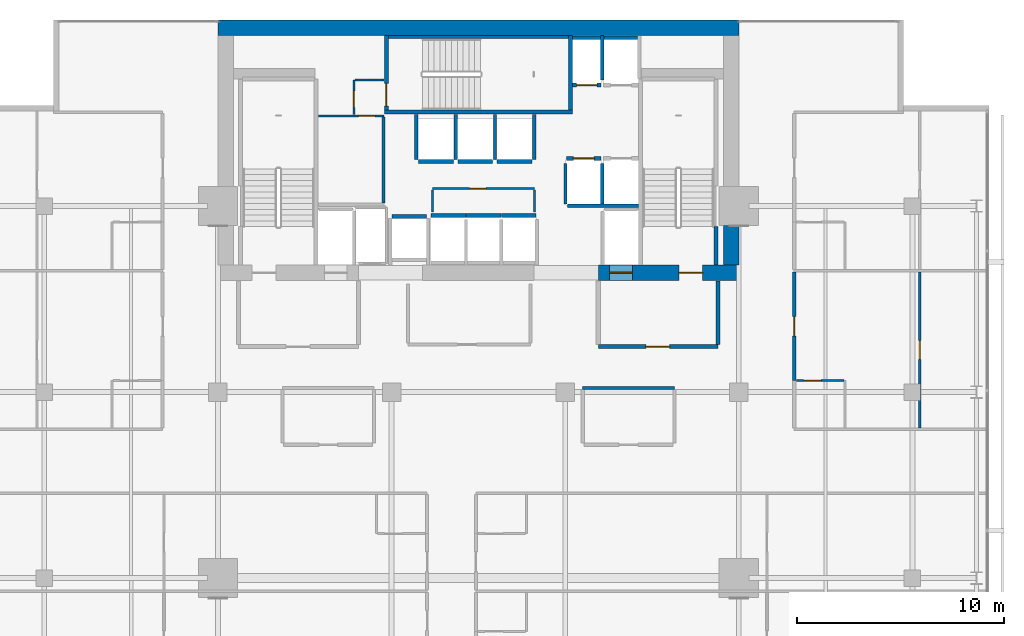
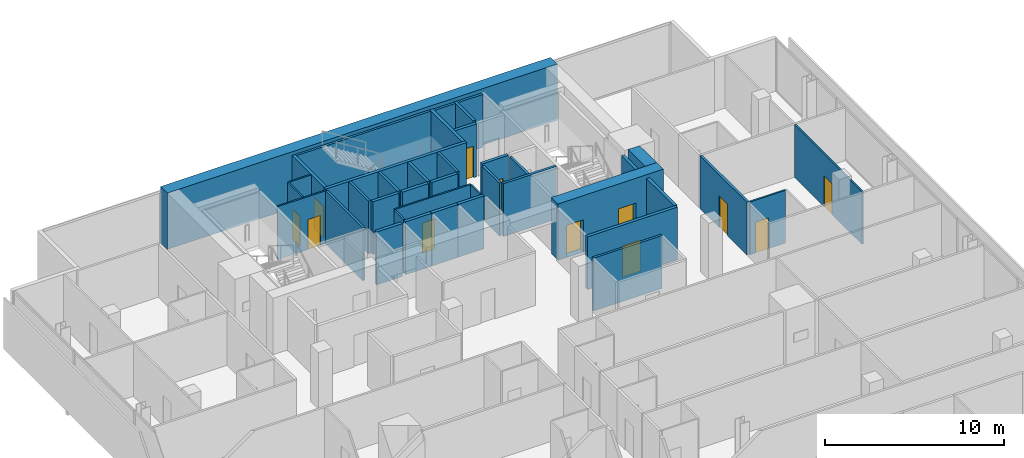
# One storey, part 30 of 33: 39 walls, 12 doors, 12 openings.
"""IFC4 building model written with IfcOpenShell, lengths in metres."""

from ifc_helpers import new_model, si_unit, direction, frame, frame_2d, origin, place, context, subcontext, project, spatial, rectangle, extrude, material, layer, layer_set, type_object, element, fill, save


model = new_model("IFC4")

# Units and contexts
model_context = context("Model", 3, precision=1e-05, world=origin(), true_north=direction((0.0, 1.0)))
body_context = subcontext(model_context, "Body", "Model", "MODEL_VIEW")
ifc_project = project(units=[si_unit("LENGTHUNIT", "METRE"), si_unit("AREAUNIT", "SQUARE_METRE"), si_unit("VOLUMEUNIT", "CUBIC_METRE"), si_unit("PLANEANGLEUNIT", "RADIAN"), si_unit("MASSUNIT", "GRAM", prefix="KILO")], contexts=[model_context])

# Site, building, storey
site_placement = place(None, origin())
site = spatial("IfcSite", under=ifc_project, at=site_placement, CompositionType="ELEMENT")
building_placement = place(site_placement, origin())
building = spatial("IfcBuilding", under=site, at=building_placement, Name="Maruvema Waterfront Hotel and Observation Tower", CompositionType="ELEMENT")
storey_placement = place(building_placement, frame((0.0, 0.0, 138.949951171875)))
storey = spatial("IfcBuildingStorey", under=building, at=storey_placement, Name="L33", CompositionType="ELEMENT", Elevation=138.949951171875)

# Walls
ifc_material_1 = material(Name="Twin-stud acoustic gypsum drywall", Category="gypsum")
ifc_layer_1 = layer(ifc_material_1, 0.14990234375, Name="Acoustic Corridor and Suite Demising Wall 150 mm")
ifc_layer_set_1 = layer_set([ifc_layer_1], Name="Twin-stud acoustic gypsum drywall")
wall_type_1 = type_object("IfcWallType", Name="Acoustic Corridor and Suite Demising Wall 150 mm", PredefinedType="PARTITIONING", material=ifc_layer_set_1)
wall_1_placement = place(storey_placement, frame((33.219970703125, 45.139892578125, 0.0), z_axis=(0.0, 0.0, 1.0), x_axis=(0.0, 1.0, 0.0)))
element("IfcWall", 1, at=wall_1_placement, inside=storey, type_object=wall_type_1, Name="L33 Freed B1 East Wall 014", PredefinedType="PARTITIONING", context=body_context, shape_type="SweptSolid", body=[
    extrude(rectangle(XDim=4.16015625, YDim=0.14990234375, at=frame_2d((2.080078125, 0.0))), origin(), (0.0, 0.0, 1.0), 3.610107421875),
])
wall_2_placement = place(storey_placement, frame((42.85009765625, 36.199951171875, 0.0), z_axis=(0.0, 0.0, 1.0), x_axis=(1.0, 0.0, 0.0)))
element("IfcWall", 2, at=wall_2_placement, inside=storey, type_object=wall_type_1, Name="L33 L33-M2 Back Wall 025", PredefinedType="PARTITIONING", context=body_context, shape_type="SweptSolid", body=[
    extrude(rectangle(XDim=4.429931640625, YDim=0.14990234375, at=frame_2d((2.21484375, 0.0))), origin(), (0.0, 0.0, 1.0), 3.610107421875),
])

# Wall, opening, door
wall_3_placement = place(storey_placement, frame((53.080078125, 36.550048828125, 0.0), z_axis=(0.0, 0.0, 1.0), x_axis=(0.0, 1.0, 0.0)))
wall_3 = element("IfcWall", 3, at=wall_3_placement, inside=storey, type_object=wall_type_1, Name="L33 Room L33-NE1 Corridor Wall 106", PredefinedType="PARTITIONING", context=body_context, shape_type="SweptSolid", body=[
    extrude(rectangle(XDim=5.2587890625, YDim=0.14990234375, at=frame_2d((2.62939453125, 0.0))), origin(), (0.0, 0.0, 1.0), 3.610107421875),
])
opening_1_placement = place(wall_3_placement, frame((2.154296875, 0.0, 0.0)))
opening_1 = element("IfcOpeningElement", 4, at=opening_1_placement, cuts=wall_3, Name="Opening DR-095", PredefinedType="OPENING", context=body_context, shape_type="SweptSolid", body=[
    extrude(rectangle(XDim=0.949951171875, YDim=2.14990234375, at=frame_2d((0.47509765625, 1.074951171875))), frame((0.0, 0.0849609375, 0.0), z_axis=(0.0, -1.0, 0.0), x_axis=(1.0, 0.0, 0.0)), (0.0, 0.0, 1.0), 0.169921875),
])
ifc_material_2 = material(Name="Acoustic solid-core hardwood timber leaf", Category="wood")
door_type_1 = type_object("IfcDoorType", Name="Guestroom Entrance Fire Door 950x2150 mm", OperationType="NOTDEFINED", PredefinedType="DOOR", material=ifc_material_2)
door_1_placement = place(opening_1_placement, frame((0.949951171875, 0.0, 0.0), z_axis=(0.0, 0.0, 1.0), x_axis=(-1.0, 0.0, 0.0)))
door_1 = element("IfcDoor", 5, at=door_1_placement, inside=storey, type_object=door_type_1, Name="L33 Room L33-NE1 Entrance Door", OperationType="SINGLE_SWING_RIGHT", OverallHeight=2.14990234375, OverallWidth=0.949951171875, PredefinedType="DOOR", context=body_context, shape_type="SweptSolid", body=[
    extrude(rectangle(XDim=0.949951171875, YDim=2.14990234375, at=frame_2d((0.47509765625, 1.074951171875))), frame((0.0, 0.02490234375, 0.0), z_axis=(0.0, -1.0, 0.0), x_axis=(1.0, 0.0, 0.0)), (0.0, 0.0, 1.0), 0.050048828125),
])
fill(opening_1, door_1)

# Walls
ifc_material_3 = material(Name="Precast concrete C45/55", Category="concrete")
ifc_layer_2 = layer(ifc_material_3, 0.14990234375, Name="Core Shaft Furring Wall 150 mm")
ifc_layer_set_2 = layer_set([ifc_layer_2], Name="Precast concrete C45/55")
wall_type_2 = type_object("IfcWallType", Name="Core Shaft Furring Wall 150 mm", PredefinedType="SOLIDWALL", material=ifc_layer_set_2)
wall_4_placement = place(storey_placement, frame((33.449951171875, 53.175048828125, 0.0), z_axis=(0.0, 0.0, 1.0), x_axis=(1.0, 0.0, 0.0)))
element("IfcWall", 6, at=wall_4_placement, inside=storey, type_object=wall_type_2, Name="L33 Stairwell ST-02 North Furring Wall", PredefinedType="SOLIDWALL", context=body_context, shape_type="SweptSolid", body=[
    extrude(rectangle(XDim=8.699951171875, YDim=0.14990234375, at=frame_2d((4.35009765625, 0.0))), origin(), (0.0, 0.0, 1.0), 3.610107421875),
])
ifc_material_4 = material(Name="Precast concrete C45/55", Category="concrete")
ifc_layer_3 = layer(ifc_material_4, 0.199951171875, Name="Core Shaft and Stairwell Enclosure Wall 200 mm")
ifc_layer_set_3 = layer_set([ifc_layer_3], Name="Precast concrete C45/55")
wall_type_3 = type_object("IfcWallType", Name="Core Shaft and Stairwell Enclosure Wall 200 mm", PredefinedType="SOLIDWALL", material=ifc_layer_set_3)
wall_5_placement = place(storey_placement, frame((33.25, 49.550048828125, 0.0), z_axis=(0.0, 0.0, 1.0), x_axis=(1.0, 0.0, 0.0)))
element("IfcWall", 7, at=wall_5_placement, inside=storey, type_object=wall_type_3, Name="L33 Stairwell ST-02 Shaft Wall", PredefinedType="SOLIDWALL", context=body_context, shape_type="SweptSolid", body=[
    extrude(rectangle(XDim=9.10009765625, YDim=0.199951171875, at=frame_2d((4.550048828125, 0.0))), origin(), (0.0, 0.0, 1.0), 3.610107421875),
])
wall_6_placement = place(storey_placement, frame((42.25, 49.64990234375, 0.0), z_axis=(0.0, 0.0, 1.0), x_axis=(0.0, 1.0, 0.0)))
element("IfcWall", 8, at=wall_6_placement, inside=storey, type_object=wall_type_3, Name="L33 Stairwell ST-02 Shaft Wall", PredefinedType="SOLIDWALL", context=body_context, shape_type="SweptSolid", body=[
    extrude(rectangle(XDim=3.60009765625, YDim=0.199951171875, at=frame_2d((1.800048828125, 0.0))), origin(), (0.0, 0.0, 1.0), 3.610107421875),
])

# Wall, opening, door
wall_7_placement = place(storey_placement, frame((33.35009765625, 49.64990234375, 0.0), z_axis=(0.0, 0.0, 1.0), x_axis=(0.0, 1.0, 0.0)))
wall_7 = element("IfcWall", 9, at=wall_7_placement, inside=storey, type_object=wall_type_3, Name="L33 Stairwell ST-02 Shaft Wall", PredefinedType="SOLIDWALL", context=body_context, shape_type="SweptSolid", body=[
    extrude(rectangle(XDim=3.60009765625, YDim=0.199951171875, at=frame_2d((1.800048828125, 0.0))), origin(), (0.0, 0.0, 1.0), 3.610107421875),
])
opening_2_placement = place(wall_7_placement, frame((0.179931640625, 0.0, 0.0)))
opening_2 = element("IfcOpeningElement", 10, at=opening_2_placement, cuts=wall_7, Name="Opening SD-02", PredefinedType="OPENING", context=body_context, shape_type="SweptSolid", body=[
    extrude(rectangle(XDim=1.10009765625, YDim=2.14990234375, at=frame_2d((0.550048828125, 1.074951171875))), frame((0.0, 0.10986328125, 0.0), z_axis=(0.0, -1.0, 0.0), x_axis=(1.0, 0.0, 0.0)), (0.0, 0.0, 1.0), 0.219970703125),
])
ifc_material_5 = material(Name="Fire-rated galvanised steel leaf", Category="steel")
door_type_2 = type_object("IfcDoorType", Name="Central Exit Stair Fire Door 1100x2150 mm", OperationType="NOTDEFINED", PredefinedType="DOOR", material=ifc_material_5)
door_2_placement = place(opening_2_placement, frame((1.10009765625, 0.0, 0.0), z_axis=(0.0, 0.0, 1.0), x_axis=(-1.0, 0.0, 0.0)))
door_2 = element("IfcDoor", 11, at=door_2_placement, inside=storey, type_object=door_type_2, Name="L33 Exit Stair ST-02 Fire Door", OperationType="SINGLE_SWING_LEFT", OverallHeight=2.14990234375, OverallWidth=1.10009765625, PredefinedType="DOOR", context=body_context, shape_type="SweptSolid", body=[
    extrude(rectangle(XDim=1.10009765625, YDim=2.14990234375, at=frame_2d((0.550048828125, 1.074951171875))), frame((0.0, 0.02490234375, 0.0), z_axis=(0.0, -1.0, 0.0), x_axis=(1.0, 0.0, 0.0)), (0.0, 0.0, 1.0), 0.050048828125),
])
fill(opening_2, door_2)

# Wall
wall_8_placement = place(storey_placement, frame((49.300048828125, 42.14990234375, 0.0), z_axis=(0.0, 0.0, 1.0), x_axis=(0.0, 1.0, 0.0)))
element("IfcWall", 12, at=wall_8_placement, inside=storey, type_object=wall_type_3, Name="L33 Stairwell ST-03 Shaft Lining Wall", PredefinedType="SOLIDWALL", context=body_context, shape_type="SweptSolid", body=[
    extrude(rectangle(XDim=1.8701171875, YDim=0.199951171875, at=frame_2d((0.93505859375, 0.0))), origin(), (0.0, 0.0, 1.0), 3.610107421875),
])

# Wall, opening, door
wall_9_placement = place(storey_placement, frame((42.06005859375, 47.300048828125, 0.0), z_axis=(0.0, 0.0, 1.0), x_axis=(1.0, 0.0, 0.0)))
wall_9 = element("IfcWall", 13, at=wall_9_placement, inside=storey, type_object=wall_type_3, Name="L33 Lift LF-05 Hoistway Front Wall", PredefinedType="SOLIDWALL", context=body_context, shape_type="SweptSolid", body=[
    extrude(rectangle(XDim=1.679931640625, YDim=0.199951171875, at=frame_2d((0.83984375, 0.0))), origin(), (0.0, 0.0, 1.0), 3.610107421875),
])
opening_3_placement = place(wall_9_placement, frame((0.340087890625, 0.0, 0.0)))
opening_3 = element("IfcOpeningElement", 14, at=opening_3_placement, cuts=wall_9, Name="Opening LD-01", PredefinedType="OPENING", context=body_context, shape_type="SweptSolid", body=[
    extrude(rectangle(XDim=1.0, YDim=2.14990234375, at=frame_2d((0.5, 1.074951171875))), frame((0.0, 0.10986328125, 0.0), z_axis=(0.0, -1.0, 0.0), x_axis=(1.0, 0.0, 0.0)), (0.0, 0.0, 1.0), 0.219970703125),
])
ifc_material_6 = material(Name="Brushed stainless steel Grade 316", Category="steel")
door_type_3 = type_object("IfcDoorType", Name="Passenger Lift Sliding Landing Door 1000x2150 mm", OperationType="SLIDING_TO_LEFT", PredefinedType="DOOR", material=ifc_material_6)
door_3_placement = place(opening_3_placement, origin())
door_3 = element("IfcDoor", 15, at=door_3_placement, inside=storey, type_object=door_type_3, Name="L33 Lift LF-05 Sliding Landing Door", OperationType="SLIDING_TO_LEFT", OverallHeight=2.14990234375, OverallWidth=1.0, PredefinedType="DOOR", context=body_context, shape_type="SweptSolid", body=[
    extrude(rectangle(XDim=1.0, YDim=2.14990234375, at=frame_2d((0.5, 1.074951171875))), frame((0.0, 0.02490234375, 0.0), z_axis=(0.0, -1.0, 0.0), x_axis=(1.0, 0.0, 0.0)), (0.0, 0.0, 1.0), 0.050048828125),
])
fill(opening_3, door_3)

wall_10_placement = place(storey_placement, frame((42.360107421875, 50.85009765625, 0.0), z_axis=(0.0, 0.0, 1.0), x_axis=(1.0, 0.0, 0.0)))
wall_10 = element("IfcWall", 16, at=wall_10_placement, inside=storey, type_object=wall_type_3, Name="L33 Lift LF-07 Hoistway Front Wall", PredefinedType="SOLIDWALL", context=body_context, shape_type="SweptSolid", body=[
    extrude(rectangle(XDim=1.3798828125, YDim=0.199951171875, at=frame_2d((0.68994140625, 0.0))), origin(), (0.0, 0.0, 1.0), 3.610107421875),
])
opening_4_placement = place(wall_10_placement, frame((0.18994140625, 0.0, 0.0)))
opening_4 = element("IfcOpeningElement", 17, at=opening_4_placement, cuts=wall_10, Name="Opening LD-01", PredefinedType="OPENING", context=body_context, shape_type="SweptSolid", body=[
    extrude(rectangle(XDim=1.0, YDim=2.14990234375, at=frame_2d((0.5, 1.074951171875))), frame((0.0, 0.10986328125, 0.0), z_axis=(0.0, -1.0, 0.0), x_axis=(1.0, 0.0, 0.0)), (0.0, 0.0, 1.0), 0.219970703125),
])
door_4_placement = place(opening_4_placement, frame((1.0, 0.0, 0.0), z_axis=(0.0, 0.0, 1.0), x_axis=(-1.0, 0.0, 0.0)))
door_4 = element("IfcDoor", 18, at=door_4_placement, inside=storey, type_object=door_type_3, Name="L33 Lift LF-07 Sliding Landing Door", OperationType="SLIDING_TO_LEFT", OverallHeight=2.14990234375, OverallWidth=1.0, PredefinedType="DOOR", context=body_context, shape_type="SweptSolid", body=[
    extrude(rectangle(XDim=1.0, YDim=2.14990234375, at=frame_2d((0.5, 1.074951171875))), frame((0.0, 0.02490234375, 0.0), z_axis=(0.0, -1.0, 0.0), x_axis=(1.0, 0.0, 0.0)), (0.0, 0.0, 1.0), 0.050048828125),
])
fill(opening_4, door_4)

# Walls
for number, where, z_axis, x_axis, name in (
    (19, (35.510009765625, 44.550048828125, 0.0), (0.0, 0.0, 1.0), (1.0, 0.0, 0.0), "L33 Lift LF-09 Hoistway Front Wall"),
    (20, (37.2099609375, 44.550048828125, 0.0), (0.0, 0.0, 1.0), (1.0, 0.0, 0.0), "L33 Lift LF-10 Hoistway Front Wall"),
):
    element("IfcWall", number, at=place(storey_placement, frame(where, z_axis=z_axis, x_axis=x_axis)), inside=storey, type_object=wall_type_3, Name=name, PredefinedType="SOLIDWALL", context=body_context, shape_type="SweptSolid", body=[
        extrude(rectangle(XDim=1.679931640625, YDim=0.199951171875, at=frame_2d((0.83984375, 0.0))), origin(), (0.0, 0.0, 1.0), 3.610107421875),
    ])
for number, where, z_axis, x_axis, name in (
    (21, (38.909912109375, 44.550048828125, 0.0), (0.0, 0.0, 1.0), (1.0, 0.0, 0.0), "L33 Lift LF-11 Hoistway Front Wall"),
    (22, (34.909912109375, 47.14990234375, 0.0), (0.0, 0.0, 1.0), (1.0, 0.0, 0.0), "L33 Lift LF-12 Hoistway Front Wall"),
):
    element("IfcWall", number, at=place(storey_placement, frame(where, z_axis=z_axis, x_axis=x_axis)), inside=storey, type_object=wall_type_3, Name=name, PredefinedType="SOLIDWALL", context=body_context, shape_type="SweptSolid", body=[
        extrude(rectangle(XDim=1.68017578125, YDim=0.199951171875, at=frame_2d((0.840087890625, 0.0))), origin(), (0.0, 0.0, 1.0), 3.610107421875),
    ])
for number, where, z_axis, x_axis, name in (
    (23, (36.81005859375, 47.14990234375, 0.0), (0.0, 0.0, 1.0), (1.0, 0.0, 0.0), "L33 Lift LF-13 Hoistway Front Wall"),
    (24, (38.7099609375, 47.14990234375, 0.0), (0.0, 0.0, 1.0), (1.0, 0.0, 0.0), "L33 Lift LF-14 Hoistway Front Wall"),
    (25, (33.610107421875, 44.5, 0.0), (0.0, 0.0, 1.0), (1.0, 0.0, 0.0), "L33 Lift LF-15 Hoistway Front Wall"),
):
    element("IfcWall", number, at=place(storey_placement, frame(where, z_axis=z_axis, x_axis=x_axis)), inside=storey, type_object=wall_type_3, Name=name, PredefinedType="SOLIDWALL", context=body_context, shape_type="SweptSolid", body=[
        extrude(rectangle(XDim=1.679931640625, YDim=0.199951171875, at=frame_2d((0.83984375, 0.0))), origin(), (0.0, 0.0, 1.0), 3.610107421875),
    ])
ifc_material_7 = material(Name="Concrete C70/85", Category="concrete")
ifc_layer_4 = layer(ifc_material_7, 0.75, Name="Core Shear Wall 750 mm")
ifc_layer_set_4 = layer_set([ifc_layer_4], Name="Concrete C70/85")
wall_type_4 = type_object("IfcWallType", Name="Core Shear Wall 750 mm", PredefinedType="SHEAR", material=ifc_layer_set_4)
wall_11_placement = place(storey_placement, frame((25.199951171875, 53.625, 0.0), z_axis=(0.0, 0.0, 1.0), x_axis=(1.0, 0.0, 0.0)))
element("IfcWall", 26, at=wall_11_placement, inside=storey, type_object=wall_type_4, Name="L33 North Core Shear Wall", PredefinedType="SHEAR", context=body_context, shape_type="SweptSolid", body=[
    extrude(rectangle(XDim=25.199951171875, YDim=0.75, at=frame_2d((12.60009765625, 0.0))), origin(), (0.0, 0.0, 1.0), 3.85009765625),
])

# Wall, openings, doors
wall_12_placement = place(storey_placement, frame((43.60009765625, 41.77490234375, 0.0), z_axis=(0.0, 0.0, 1.0), x_axis=(1.0, 0.0, 0.0)))
wall_12 = element("IfcWall", 27, at=wall_12_placement, inside=storey, type_object=wall_type_4, Name="L33 South-East Core Shear Wall", PredefinedType="SHEAR", context=body_context, shape_type="SweptSolid", body=[
    extrude(rectangle(XDim=6.7998046875, YDim=0.75, at=frame_2d((3.39990234375, 0.0))), origin(), (0.0, 0.0, 1.0), 3.85009765625),
])
opening_5_placement = place(wall_12_placement, frame((3.89990234375, 0.0, 0.0)))
opening_5 = element("IfcOpeningElement", 28, at=opening_5_placement, cuts=wall_12, Name="Opening SD-01", PredefinedType="OPENING", context=body_context, shape_type="SweptSolid", body=[
    extrude(rectangle(XDim=1.14990234375, YDim=2.14990234375, at=frame_2d((0.574951171875, 1.074951171875))), frame((0.0, 0.385009765625, 0.0), z_axis=(0.0, -1.0, 0.0), x_axis=(1.0, 0.0, 0.0)), (0.0, 0.0, 1.0), 0.77001953125),
])
opening_6_placement = place(wall_12_placement, frame((0.550048828125, 0.0, 0.0)))
opening_6 = element("IfcOpeningElement", 29, at=opening_6_placement, cuts=wall_12, Name="Opening LD-03", PredefinedType="OPENING", context=body_context, shape_type="SweptSolid", body=[
    extrude(rectangle(XDim=1.10009765625, YDim=2.199951171875, at=frame_2d((0.550048828125, 1.10009765625))), frame((0.0, 0.385009765625, 0.0), z_axis=(0.0, -1.0, 0.0), x_axis=(1.0, 0.0, 0.0)), (0.0, 0.0, 1.0), 0.77001953125),
])
ifc_material_8 = material(Name="Fire-rated galvanised steel leaf", Category="steel")
door_type_4 = type_object("IfcDoorType", Name="Exit Stair Fire Door 1150x2150 mm", OperationType="NOTDEFINED", PredefinedType="DOOR", material=ifc_material_8)
door_5_placement = place(opening_5_placement, origin())
door_5 = element("IfcDoor", 30, at=door_5_placement, inside=storey, type_object=door_type_4, Name="L33 Exit Stair ST-03 Fire Door", OperationType="SINGLE_SWING_RIGHT", OverallHeight=2.14990234375, OverallWidth=1.14990234375, PredefinedType="DOOR", context=body_context, shape_type="SweptSolid", body=[
    extrude(rectangle(XDim=1.14990234375, YDim=2.14990234375, at=frame_2d((0.574951171875, 1.074951171875))), frame((0.0, 0.02490234375, 0.0), z_axis=(0.0, -1.0, 0.0), x_axis=(1.0, 0.0, 0.0)), (0.0, 0.0, 1.0), 0.050048828125),
])
fill(opening_5, door_5)
ifc_material_9 = material(Name="Brushed stainless steel Grade 316", Category="steel")
door_type_5 = type_object("IfcDoorType", Name="Firefighting Lift Sliding Landing Door 1100x2200 mm", OperationType="SLIDING_TO_LEFT", PredefinedType="DOOR", material=ifc_material_9)
door_6_placement = place(opening_6_placement, frame((1.10009765625, 0.0, 0.0), z_axis=(0.0, 0.0, 1.0), x_axis=(-1.0, 0.0, 0.0)))
door_6 = element("IfcDoor", 31, at=door_6_placement, inside=storey, type_object=door_type_5, Name="L33 Firefighting Lift FL-02 Landing Door", OperationType="SLIDING_TO_LEFT", OverallHeight=2.199951171875, OverallWidth=1.10009765625, PredefinedType="DOOR", context=body_context, shape_type="SweptSolid", body=[
    extrude(rectangle(XDim=1.10009765625, YDim=2.199951171875, at=frame_2d((0.550048828125, 1.10009765625))), frame((0.0, 0.02490234375, 0.0), z_axis=(0.0, -1.0, 0.0), x_axis=(1.0, 0.0, 0.0)), (0.0, 0.0, 1.0), 0.050048828125),
])
fill(opening_6, door_6)

# Wall
wall_13_placement = place(storey_placement, frame((50.02490234375, 42.14990234375, 0.0), z_axis=(0.0, 0.0, 1.0), x_axis=(0.0, 1.0, 0.0)))
element("IfcWall", 32, at=wall_13_placement, inside=storey, type_object=wall_type_4, Name="L33 East-South Core Shear Wall", PredefinedType="SHEAR", context=body_context, shape_type="SweptSolid", body=[
    extrude(rectangle(XDim=1.900146484375, YDim=0.75, at=frame_2d((0.9501953125, 0.0))), origin(), (0.0, 0.0, 1.0), 3.85009765625),
])

# Wall, opening, door
ifc_material_10 = material(Name="Moisture-resistant cement-board drywall", Category="gypsum")
ifc_layer_5 = layer(ifc_material_10, 0.10009765625, Name="En-Suite Moisture-Resistant Partition 100 mm")
ifc_layer_set_5 = layer_set([ifc_layer_5], Name="Moisture-resistant cement-board drywall")
wall_type_5 = type_object("IfcWallType", Name="En-Suite Moisture-Resistant Partition 100 mm", PredefinedType="PARTITIONING", material=ifc_layer_set_5)
wall_14_placement = place(storey_placement, frame((35.580078125, 45.840087890625, 0.0), z_axis=(0.0, 0.0, 1.0), x_axis=(1.0, 0.0, 0.0)))
wall_14 = element("IfcWall", 33, at=wall_14_placement, inside=storey, type_object=wall_type_5, Name="L33 Core Closet K0 North 010", PredefinedType="PARTITIONING", context=body_context, shape_type="SweptSolid", body=[
    extrude(rectangle(XDim=4.93994140625, YDim=0.10009765625, at=frame_2d((2.469970703125, 0.0))), origin(), (0.0, 0.0, 1.0), 3.610107421875),
])
opening_7_placement = place(wall_14_placement, frame((1.800048828125, 0.0, 0.0)))
opening_7 = element("IfcOpeningElement", 34, at=opening_7_placement, cuts=wall_14, Name="Opening DR-080", PredefinedType="OPENING", context=body_context, shape_type="SweptSolid", body=[
    extrude(rectangle(XDim=0.800048828125, YDim=2.050048828125, at=frame_2d((0.39990234375, 1.02490234375))), frame((0.0, 0.06005859375, 0.0), z_axis=(0.0, -1.0, 0.0), x_axis=(1.0, 0.0, 0.0)), (0.0, 0.0, 1.0), 0.1201171875),
])
ifc_material_11 = material(Name="Powder-coated steel access leaf", Category="steel")
door_type_6 = type_object("IfcDoorType", Name="Riser and Service Cupboard Door 800x2050 mm", OperationType="NOTDEFINED", PredefinedType="DOOR", material=ifc_material_11)
door_7_placement = place(opening_7_placement, origin())
door_7 = element("IfcDoor", 35, at=door_7_placement, inside=storey, type_object=door_type_6, Name="L33 Core Electrical Closet Door", OperationType="SINGLE_SWING_RIGHT", OverallHeight=2.050048828125, OverallWidth=0.800048828125, PredefinedType="DOOR", context=body_context, shape_type="SweptSolid", body=[
    extrude(rectangle(XDim=0.800048828125, YDim=2.050048828125, at=frame_2d((0.39990234375, 1.02490234375))), frame((0.0, 0.02490234375, 0.0), z_axis=(0.0, -1.0, 0.0), x_axis=(1.0, 0.0, 0.0)), (0.0, 0.0, 1.0), 0.050048828125),
])
fill(opening_7, door_7)

# Walls
for number, where, z_axis, x_axis, name in (
    (36, (35.580078125, 44.699951171875, 0.0), (0.0, 0.0, 1.0), (0.0, 1.0, 0.0), "L33 Core Closet K0 West 011"),
    (37, (40.52001953125, 44.699951171875, 0.0), (0.0, 0.0, 1.0), (0.0, 1.0, 0.0), "L33 Core Closet K0 East 012"),
):
    element("IfcWall", number, at=place(storey_placement, frame(where, z_axis=z_axis, x_axis=x_axis)), inside=storey, type_object=wall_type_5, Name=name, PredefinedType="PARTITIONING", context=body_context, shape_type="SweptSolid", body=[
        extrude(rectangle(XDim=1.080078125, YDim=0.10009765625, at=frame_2d((0.5400390625, 0.0))), origin(), (0.0, 0.0, 1.0), 3.610107421875),
    ])

# Wall, opening, door
wall_15_placement = place(storey_placement, frame((30.06005859375, 49.360107421875, 0.0), z_axis=(0.0, 0.0, 1.0), x_axis=(1.0, 0.0, 0.0)))
wall_15 = element("IfcWall", 38, at=wall_15_placement, inside=storey, type_object=wall_type_5, Name="L33 Freed B1 Mid Wall 015", PredefinedType="PARTITIONING", context=body_context, shape_type="SweptSolid", body=[
    extrude(rectangle(XDim=3.179931640625, YDim=0.10009765625, at=frame_2d((1.58984375, 0.0))), origin(), (0.0, 0.0, 1.0), 3.610107421875),
])
opening_8_placement = place(wall_15_placement, frame((1.949951171875, 0.0, 0.0)))
opening_8 = element("IfcOpeningElement", 39, at=opening_8_placement, cuts=wall_15, Name="Opening DR-080", PredefinedType="OPENING", context=body_context, shape_type="SweptSolid", body=[
    extrude(rectangle(XDim=0.800048828125, YDim=2.050048828125, at=frame_2d((0.39990234375, 1.02490234375))), frame((0.0, 0.06005859375, 0.0), z_axis=(0.0, -1.0, 0.0), x_axis=(1.0, 0.0, 0.0)), (0.0, 0.0, 1.0), 0.1201171875),
])
door_8_placement = place(opening_8_placement, origin())
door_8 = element("IfcDoor", 40, at=door_8_placement, inside=storey, type_object=door_type_6, Name="L33 Housekeeping and Linen Room Door", OperationType="SINGLE_SWING_LEFT", OverallHeight=2.050048828125, OverallWidth=0.800048828125, PredefinedType="DOOR", context=body_context, shape_type="SweptSolid", body=[
    extrude(rectangle(XDim=0.800048828125, YDim=2.050048828125, at=frame_2d((0.39990234375, 1.02490234375))), frame((0.0, 0.02490234375, 0.0), z_axis=(0.0, -1.0, 0.0), x_axis=(1.0, 0.0, 0.0)), (0.0, 0.0, 1.0), 0.050048828125),
])
fill(opening_8, door_8)

wall_16_placement = place(storey_placement, frame((31.780029296875, 49.419921875, 0.0), z_axis=(0.0, 0.0, 1.0), x_axis=(0.0, 1.0, 0.0)))
wall_16 = element("IfcWall", 41, at=wall_16_placement, inside=storey, type_object=wall_type_5, Name="L33 Freed B1 NW East Wall 016", PredefinedType="PARTITIONING", context=body_context, shape_type="SweptSolid", body=[
    extrude(rectangle(XDim=1.68017578125, YDim=0.10009765625, at=frame_2d((0.840087890625, 0.0))), origin(), (0.0, 0.0, 1.0), 3.610107421875),
])
opening_9_placement = place(wall_16_placement, frame((0.35009765625, 0.0, 0.0)))
opening_9 = element("IfcOpeningElement", 42, at=opening_9_placement, cuts=wall_16, Name="Opening DR-080", PredefinedType="OPENING", context=body_context, shape_type="SweptSolid", body=[
    extrude(rectangle(XDim=0.800048828125, YDim=2.050048828125, at=frame_2d((0.39990234375, 1.02490234375))), frame((0.0, 0.06005859375, 0.0), z_axis=(0.0, -1.0, 0.0), x_axis=(1.0, 0.0, 0.0)), (0.0, 0.0, 1.0), 0.1201171875),
])
door_9_placement = place(opening_9_placement, origin())
door_9 = element("IfcDoor", 43, at=door_9_placement, inside=storey, type_object=door_type_6, Name="L33 Guest Floor Pantry Door", OperationType="SINGLE_SWING_RIGHT", OverallHeight=2.050048828125, OverallWidth=0.800048828125, PredefinedType="DOOR", context=body_context, shape_type="SweptSolid", body=[
    extrude(rectangle(XDim=0.800048828125, YDim=2.050048828125, at=frame_2d((0.39990234375, 1.02490234375))), frame((0.0, 0.02490234375, 0.0), z_axis=(0.0, -1.0, 0.0), x_axis=(1.0, 0.0, 0.0)), (0.0, 0.0, 1.0), 0.050048828125),
])
fill(opening_9, door_9)

# Wall
wall_17_placement = place(storey_placement, frame((31.820068359375, 51.10009765625, 0.0), z_axis=(0.0, 0.0, 1.0), x_axis=(1.0, 0.0, 0.0)))
element("IfcWall", 44, at=wall_17_placement, inside=storey, type_object=wall_type_5, Name="L33 Freed B1 Vestibule North Wall 017", PredefinedType="PARTITIONING", context=body_context, shape_type="SweptSolid", body=[
    extrude(rectangle(XDim=1.419921875, YDim=0.10009765625, at=frame_2d((0.7099609375, 0.0))), origin(), (0.0, 0.0, 1.0), 3.610107421875),
])

# Wall, opening, door
wall_18_placement = place(storey_placement, frame((53.179931640625, 36.550048828125, 0.0), z_axis=(0.0, 0.0, 1.0), x_axis=(1.0, 0.0, 0.0)))
wall_18 = element("IfcWall", 45, at=wall_18_placement, inside=storey, type_object=wall_type_5, Name="L33 En-Suite L33-NE1 N 108", PredefinedType="PARTITIONING", context=body_context, shape_type="SweptSolid", body=[
    extrude(rectangle(XDim=2.300048828125, YDim=0.10009765625, at=frame_2d((1.14990234375, 0.0))), origin(), (0.0, 0.0, 1.0), 3.610107421875),
])
opening_10_placement = place(wall_18_placement, frame((0.35009765625, 0.0, 0.0)))
opening_10 = element("IfcOpeningElement", 46, at=opening_10_placement, cuts=wall_18, Name="Opening DR-085", PredefinedType="OPENING", context=body_context, shape_type="SweptSolid", body=[
    extrude(rectangle(XDim=0.85009765625, YDim=2.10009765625, at=frame_2d((0.425048828125, 1.050048828125))), frame((0.0, 0.06005859375, 0.0), z_axis=(0.0, -1.0, 0.0), x_axis=(1.0, 0.0, 0.0)), (0.0, 0.0, 1.0), 0.1201171875),
])
ifc_material_12 = material(Name="Moisture-resistant solid timber leaf", Category="wood")
door_type_7 = type_object("IfcDoorType", Name="En-Suite Bathroom Door 850x2100 mm", OperationType="NOTDEFINED", PredefinedType="DOOR", material=ifc_material_12)
door_10_placement = place(opening_10_placement, origin())
door_10 = element("IfcDoor", 47, at=door_10_placement, inside=storey, type_object=door_type_7, Name="L33 En-Suite L33-NE1 Door", OperationType="SINGLE_SWING_LEFT", OverallHeight=2.10009765625, OverallWidth=0.85009765625, PredefinedType="DOOR", context=body_context, shape_type="SweptSolid", body=[
    extrude(rectangle(XDim=0.85009765625, YDim=2.10009765625, at=frame_2d((0.425048828125, 1.050048828125))), frame((0.0, 0.02490234375, 0.0), z_axis=(0.0, -1.0, 0.0), x_axis=(1.0, 0.0, 0.0)), (0.0, 0.0, 1.0), 0.050048828125),
])
fill(opening_10, door_10)

wall_19_placement = place(storey_placement, frame((59.154296875, 34.260009765625, 0.0), z_axis=(0.0, 0.0, 1.0), x_axis=(0.0, 1.0, 0.0)))
wall_19 = element("IfcWall", 48, at=wall_19_placement, inside=storey, type_object=wall_type_5, Name="L33 Suite L33-NE1 Split 109", PredefinedType="PARTITIONING", context=body_context, shape_type="SweptSolid", body=[
    extrude(rectangle(XDim=7.548828125, YDim=0.10009765625, at=frame_2d((3.7744140625, 0.0))), origin(), (0.0, 0.0, 1.0), 3.610107421875),
])
opening_11_placement = place(wall_19_placement, frame((3.324462890625, 0.0, 0.0)))
opening_11 = element("IfcOpeningElement", 49, at=opening_11_placement, cuts=wall_19, Name="Opening DR-090", PredefinedType="OPENING", context=body_context, shape_type="SweptSolid", body=[
    extrude(rectangle(XDim=0.89990234375, YDim=2.10009765625, at=frame_2d((0.449951171875, 1.050048828125))), frame((0.0, 0.06005859375, 0.0), z_axis=(0.0, -1.0, 0.0), x_axis=(1.0, 0.0, 0.0)), (0.0, 0.0, 1.0), 0.1201171875),
])
ifc_material_13 = material(Name="Solid-core lacquered timber leaf", Category="wood")
door_type_8 = type_object("IfcDoorType", Name="Accessible Toilet and Room Door 900x2100 mm", OperationType="NOTDEFINED", PredefinedType="DOOR", material=ifc_material_13)
door_11_placement = place(opening_11_placement, frame((0.89990234375, 0.0, 0.0), z_axis=(0.0, 0.0, 1.0), x_axis=(-1.0, 0.0, 0.0)))
door_11 = element("IfcDoor", 50, at=door_11_placement, inside=storey, type_object=door_type_8, Name="L33 Suite L33-NE1 Bedroom Door", OperationType="SINGLE_SWING_LEFT", OverallHeight=2.10009765625, OverallWidth=0.89990234375, PredefinedType="DOOR", context=body_context, shape_type="SweptSolid", body=[
    extrude(rectangle(XDim=0.89990234375, YDim=2.10009765625, at=frame_2d((0.449951171875, 1.050048828125))), frame((0.0, 0.02490234375, 0.0), z_axis=(0.0, -1.0, 0.0), x_axis=(1.0, 0.0, 0.0)), (0.0, 0.0, 1.0), 0.050048828125),
])
fill(opening_11, door_11)

ifc_material_14 = material(Name="Autoclaved cellular concrete blockwork", Category="masonry")
ifc_layer_6 = layer(ifc_material_14, 0.199951171875, Name="Fire Compartment Masonry Wall 200 mm")
ifc_layer_set_6 = layer_set([ifc_layer_6], Name="Autoclaved cellular concrete blockwork")
wall_type_6 = type_object("IfcWallType", Name="Fire Compartment Masonry Wall 200 mm", PredefinedType="PARTITIONING", material=ifc_layer_set_6)
wall_20_placement = place(storey_placement, frame((43.60009765625, 38.199951171875, 0.0), z_axis=(0.0, 0.0, 1.0), x_axis=(1.0, 0.0, 0.0)))
wall_20 = element("IfcWall", 51, at=wall_20_placement, inside=storey, type_object=wall_type_6, Name="L33 FFL East South Wall 004", PredefinedType="PARTITIONING", context=body_context, shape_type="SweptSolid", body=[
    extrude(rectangle(XDim=5.7998046875, YDim=0.199951171875, at=frame_2d((2.89990234375, 0.0))), origin(), (0.0, 0.0, 1.0), 3.610107421875),
])
opening_12_placement = place(wall_20_placement, frame((2.300048828125, 0.0, 0.0)))
opening_12 = element("IfcOpeningElement", 52, at=opening_12_placement, cuts=wall_20, Name="Opening FD-115", PredefinedType="OPENING", context=body_context, shape_type="SweptSolid", body=[
    extrude(rectangle(XDim=1.14990234375, YDim=2.14990234375, at=frame_2d((0.574951171875, 1.074951171875))), frame((0.0, 0.10986328125, 0.0), z_axis=(0.0, -1.0, 0.0), x_axis=(1.0, 0.0, 0.0)), (0.0, 0.0, 1.0), 0.219970703125),
])
ifc_material_15 = material(Name="Fire-rated galvanised steel and vision glass", Category="steel")
door_type_9 = type_object("IfcDoorType", Name="Firefighting Lobby Fire Door 1150x2150 mm", OperationType="NOTDEFINED", PredefinedType="DOOR", material=ifc_material_15)
door_12_placement = place(opening_12_placement, frame((1.14990234375, 0.0, 0.0), z_axis=(0.0, 0.0, 1.0), x_axis=(-1.0, 0.0, 0.0)))
door_12 = element("IfcDoor", 53, at=door_12_placement, inside=storey, type_object=door_type_9, Name="L33 Firefighting Lobby East Door", OperationType="SINGLE_SWING_RIGHT", OverallHeight=2.14990234375, OverallWidth=1.14990234375, PredefinedType="DOOR", context=body_context, shape_type="SweptSolid", body=[
    extrude(rectangle(XDim=1.14990234375, YDim=2.14990234375, at=frame_2d((0.574951171875, 1.074951171875))), frame((0.0, 0.02490234375, 0.0), z_axis=(0.0, -1.0, 0.0), x_axis=(1.0, 0.0, 0.0)), (0.0, 0.0, 1.0), 0.050048828125),
])
fill(opening_12, door_12)

# Walls
wall_21_placement = place(storey_placement, frame((49.39990234375, 38.31005859375, 0.0), z_axis=(0.0, 0.0, 1.0), x_axis=(0.0, 1.0, 0.0)))
element("IfcWall", 54, at=wall_21_placement, inside=storey, type_object=wall_type_6, Name="L33 FFL East East Wall 006", PredefinedType="PARTITIONING", context=body_context, shape_type="SweptSolid", body=[
    extrude(rectangle(XDim=3.06982421875, YDim=0.199951171875, at=frame_2d((1.534912109375, 0.0))), origin(), (0.0, 0.0, 1.0), 3.610107421875),
])
ifc_material_16 = material(Name="Precast concrete C45/55", Category="concrete")
ifc_layer_7 = layer(ifc_material_16, 0.159912109375, Name="Lift Hoistway Divider Wall 160 mm")
ifc_layer_set_7 = layer_set([ifc_layer_7], Name="Precast concrete C45/55")
wall_type_7 = type_object("IfcWallType", Name="Lift Hoistway Divider Wall 160 mm", PredefinedType="SOLIDWALL", material=ifc_layer_set_7)
for number, where, z_axis, x_axis, name in (
    (55, (42.02001953125, 45.10009765625, 0.0), (0.0, 0.0, 1.0), (0.0, 1.0, 0.0), "L33 Hoistway Divider Wall"),
    (56, (43.800048828125, 45.10009765625, 0.0), (0.0, 0.0, 1.0), (0.0, 1.0, 0.0), "L33 Hoistway Divider Wall"),
):
    element("IfcWall", number, at=place(storey_placement, frame(where, z_axis=z_axis, x_axis=x_axis)), inside=storey, type_object=wall_type_7, Name=name, PredefinedType="SOLIDWALL", context=body_context, shape_type="SweptSolid", body=[
        extrude(rectangle(XDim=1.949951171875, YDim=0.159912109375, at=frame_2d((0.97509765625, 0.0))), origin(), (0.0, 0.0, 1.0), 3.610107421875),
    ])
wall_22_placement = place(storey_placement, frame((42.10009765625, 45.010009765625, 0.0), z_axis=(0.0, 0.0, 1.0), x_axis=(1.0, 0.0, 0.0)))
element("IfcWall", 57, at=wall_22_placement, inside=storey, type_object=wall_type_7, Name="L33 Hoistway Divider Wall", PredefinedType="SOLIDWALL", context=body_context, shape_type="SweptSolid", body=[
    extrude(rectangle(XDim=3.449951171875, YDim=0.159912109375, at=frame_2d((1.72509765625, 0.0))), origin(), (0.0, 0.0, 1.0), 3.610107421875),
])
wall_23_placement = place(storey_placement, frame((43.800048828125, 51.10009765625, 0.0), z_axis=(0.0, 0.0, 1.0), x_axis=(0.0, 1.0, 0.0)))
element("IfcWall", 58, at=wall_23_placement, inside=storey, type_object=wall_type_7, Name="L33 Hoistway Divider Wall", PredefinedType="SOLIDWALL", context=body_context, shape_type="SweptSolid", body=[
    extrude(rectangle(XDim=2.14990234375, YDim=0.159912109375, at=frame_2d((1.074951171875, 0.0))), origin(), (0.0, 0.0, 1.0), 3.610107421875),
])
wall_24_placement = place(storey_placement, frame((42.360107421875, 53.139892578125, 0.0), z_axis=(0.0, 0.0, 1.0), x_axis=(1.0, 0.0, 0.0)))
element("IfcWall", 59, at=wall_24_placement, inside=storey, type_object=wall_type_7, Name="L33 Hoistway Divider Wall", PredefinedType="SOLIDWALL", context=body_context, shape_type="SweptSolid", body=[
    extrude(rectangle(XDim=3.139892578125, YDim=0.159912109375, at=frame_2d((1.56982421875, 0.0))), origin(), (0.0, 0.0, 1.0), 3.610107421875),
])
for number, where, z_axis, x_axis, name in (
    (60, (34.800048828125, 47.25, 0.0), (0.0, 0.0, 1.0), (0.0, 1.0, 0.0), "L33 Hoistway Divider Wall"),
    (61, (36.699951171875, 47.25, 0.0), (0.0, 0.0, 1.0), (0.0, 1.0, 0.0), "L33 Hoistway Divider Wall"),
    (62, (38.60009765625, 47.25, 0.0), (0.0, 0.0, 1.0), (0.0, 1.0, 0.0), "L33 Hoistway Divider Wall"),
    (63, (40.5, 47.25, 0.0), (0.0, 0.0, 1.0), (0.0, 1.0, 0.0), "L33 Hoistway Divider Wall"),
):
    element("IfcWall", number, at=place(storey_placement, frame(where, z_axis=z_axis, x_axis=x_axis)), inside=storey, type_object=wall_type_7, Name=name, PredefinedType="SOLIDWALL", context=body_context, shape_type="SweptSolid", body=[
        extrude(rectangle(XDim=2.18994140625, YDim=0.159912109375, at=frame_2d((1.094970703125, 0.0))), origin(), (0.0, 0.0, 1.0), 3.610107421875),
    ])

save(model, "model.ifc")
